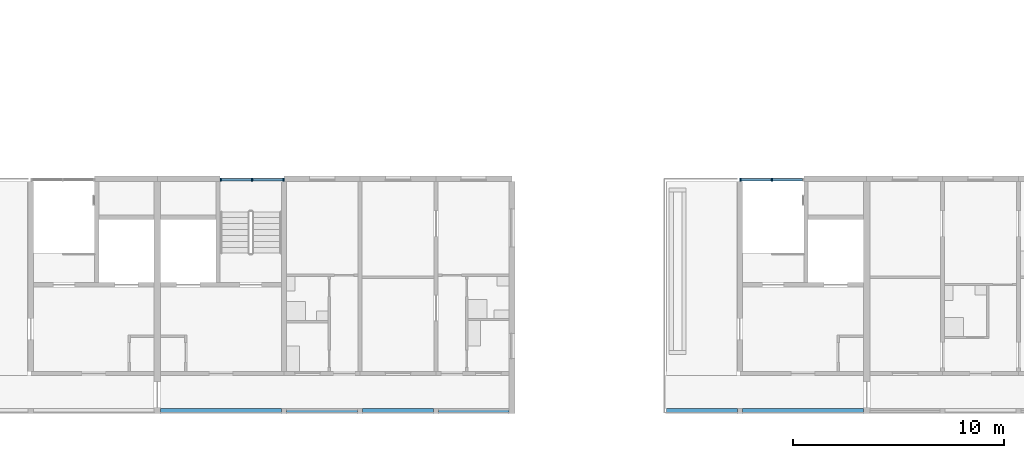
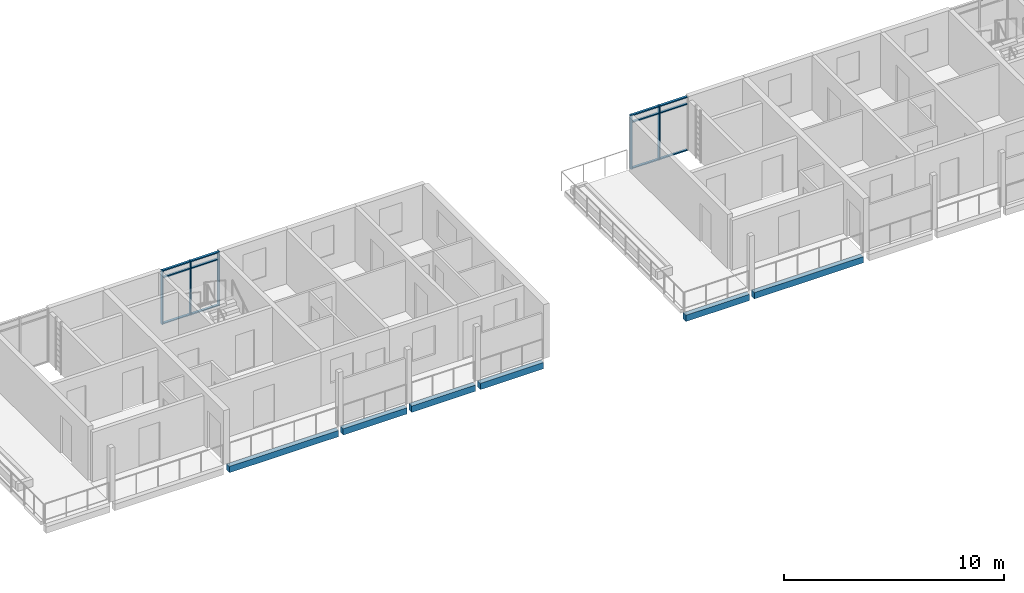
# One storey, part 7 of 55: 17 members, 6 beams, 2 elements without a shape of their own.
"""IFC4 building model written with IfcOpenShell, lengths in metres."""

import ifcopenshell
import ifcopenshell.guid

model = None  # the IFC model being written
_history = None  # IfcOwnerHistory: only IFC2X3 demands one
_inside = {}  # id of a spatial element -> (the spatial element, [elements in it])
_under = {}  # id of a project, library or spatial element -> (it, [spatial elements below it])
_declared = {}  # id of a project -> (the project, [libraries it declares])
_typed = {}  # id of a type object -> (the type object, [elements of that type])
_made_of = {}  # id of a material, layer set ... -> (it, [elements and type objects made of it])


def new_model(schema):
    """Start an empty IFC model of exactly this schema.

    Asked for "IFC4X3", IfcOpenShell would pick the latest addendum, in which some entities
    have other attributes; the version numbers below select the first issue.
    IFC2X3 requires an IfcOwnerHistory on every rooted entity: one is made here for all.
    """
    global model, _history
    if schema == "IFC4X3":
        model = ifcopenshell.file(schema_version=(4, 3, 0, 0))
    else:
        model = ifcopenshell.file(schema=schema)
    _inside.clear()
    _under.clear()
    _declared.clear()
    _typed.clear()
    _made_of.clear()
    _history = None
    if model.schema == "IFC2X3":
        org = make("IfcOrganization", Name="unknown")
        user = make(
            "IfcPersonAndOrganization",
            ThePerson=make("IfcPerson", FamilyName="unknown"),
            TheOrganization=org,
        )
        app = make(
            "IfcApplication",
            ApplicationDeveloper=org,
            Version="unknown",
            ApplicationFullName="unknown",
            ApplicationIdentifier="unknown",
        )
        _history = make(
            "IfcOwnerHistory",
            OwningUser=user,
            OwningApplication=app,
            ChangeAction="ADDED",
            CreationDate=0,
        )
    return model


def make(cls, **values):
    """One entity of the class cls with the attributes given. An attribute that is None is left unset."""
    return model.create_entity(
        cls, **{name: value for name, value in values.items() if value is not None}
    )


def rooted(cls, **values):
    """An entity with a GlobalId (a new one), such as an element, a storey or a relation."""
    return make(cls, GlobalId=ifcopenshell.guid.new(), OwnerHistory=_history, **values)


def si_unit(unit_type, name, prefix=None):
    """IfcSIUnit, for example si_unit("LENGTHUNIT", "METRE", prefix="MILLI")."""
    return make("IfcSIUnit", UnitType=unit_type, Prefix=prefix, Name=name)


def assignment(units):
    """IfcUnitAssignment: the units of a project."""
    return None if units is None else make("IfcUnitAssignment", Units=units)


def point(xyz):
    """IfcCartesianPoint."""
    return None if xyz is None else make("IfcCartesianPoint", Coordinates=xyz)


def direction(xyz):
    """IfcDirection."""
    return None if xyz is None else make("IfcDirection", DirectionRatios=xyz)


def frame(location, z_axis=None, x_axis=None):
    """IfcAxis2Placement3D, a coordinate frame: its origin and axes. An axis left out is left unset."""
    return make(
        "IfcAxis2Placement3D",
        Location=point(location),
        Axis=direction(z_axis),
        RefDirection=direction(x_axis),
    )


def frame_2d(location, x_axis=None):
    """IfcAxis2Placement2D, a coordinate frame in the plane: its origin and x axis."""
    return make(
        "IfcAxis2Placement2D", Location=point(location), RefDirection=direction(x_axis)
    )


def origin():
    """The frame at (0, 0, 0) with its axes left unset."""
    return frame((0.0, 0.0, 0.0))


def origin_2d():
    """The frame at (0, 0) in the plane with its x axis left unset."""
    return frame_2d((0.0, 0.0))


def place(relative_to, where):
    """IfcLocalPlacement: puts the frame where relative to a parent placement (None: the world)."""
    return make(
        "IfcLocalPlacement", PlacementRelTo=relative_to, RelativePlacement=where
    )


def context(
    kind, dimensions, precision=None, world=None, true_north=None, identifier=None
):
    """IfcGeometricRepresentationContext, for example the 3D "Model" context."""
    return make(
        "IfcGeometricRepresentationContext",
        ContextIdentifier=identifier,
        ContextType=kind,
        CoordinateSpaceDimension=dimensions,
        Precision=precision,
        WorldCoordinateSystem=world,
        TrueNorth=true_north,
    )


def subcontext(parent, identifier, kind, view, scale=None):
    """IfcGeometricRepresentationSubContext, for example "Body" below "Model"."""
    return make(
        "IfcGeometricRepresentationSubContext",
        ContextIdentifier=identifier,
        ContextType=kind,
        ParentContext=parent,
        TargetScale=scale,
        TargetView=view,
    )


def project(units=None, contexts=None):
    """IfcProject with its units and contexts."""
    return rooted(
        "IfcProject",
        Name="project",
        RepresentationContexts=contexts,
        UnitsInContext=assignment(units),
    )


def spatial(cls, under=None, at=None, **own):
    """A site, building, storey or space (cls), placed at a placement, below another one or the project."""
    s = rooted(cls, ObjectPlacement=at, **own)
    if under is not None:
        _under.setdefault(under.id(), (under, []))[1].append(s)
    return s


def profile(cls, at=None, kind="AREA", **sizes):
    """A parametric profile (cls). Its sizes go by their IFC names, for example OverallWidth=200.0."""
    return make(cls, ProfileType=kind, Position=at, **sizes)


def rectangle(**sizes):
    """IfcRectangleProfileDef."""
    return profile("IfcRectangleProfileDef", **sizes)


def extrude(swept, where, along, depth):
    """IfcExtrudedAreaSolid: the profile swept, set in the frame where, extruded along a direction by depth."""
    return make(
        "IfcExtrudedAreaSolid",
        SweptArea=swept,
        Position=where,
        ExtrudedDirection=direction(along),
        Depth=depth,
    )


def shape(context_of_items, identifier, shape_type, items):
    """IfcShapeRepresentation: the items that make up one representation, for example the "Body"."""
    return make(
        "IfcShapeRepresentation",
        ContextOfItems=context_of_items,
        RepresentationIdentifier=identifier,
        RepresentationType=shape_type,
        Items=items,
    )


def material(Name=None, Category=None):
    """IfcMaterial."""
    return make("IfcMaterial", Name=Name, Category=Category)


def material_profile(
    of_material, cross_section, Name=None, Category=None, Priority=None
):
    """IfcMaterialProfile: a cross section and its material."""
    return make(
        "IfcMaterialProfile",
        Name=Name,
        Material=of_material,
        Profile=cross_section,
        Priority=Priority,
        Category=Category,
    )


def profile_set(profiles, Name=None, composite=None):
    """IfcMaterialProfileSet."""
    return make(
        "IfcMaterialProfileSet",
        Name=Name,
        MaterialProfiles=profiles,
        CompositeProfile=composite,
    )


def made_of(thing, what):
    """Note that an element or type object is made of a material, layer set ...; save() writes the relation."""
    if what is not None:
        _made_of.setdefault(what.id(), (what, []))[1].append(thing)
    return thing


def type_object(cls, material=None, **own):
    """A type object (cls), such as IfcWallType, which elements share."""
    return made_of(rooted(cls, **own), material)


def element(
    cls,
    number,
    at=None,
    inside=None,
    cuts=None,
    type_object=None,
    material=None,
    context=None,
    identifier="Body",
    shape_type=None,
    held_by="IfcProductDefinitionShape",
    body=None,
    shapes=None,
    **own,
):
    """One element of the class cls, such as IfcWall. Its Tag is "e" and its number.

    at: its placement. inside: the storey or other place that contains it. cuts: it is an
    opening in that element (IfcRelVoidsElement). A single representation is given by context,
    identifier, shape_type and body (its items); several are given by shapes. held_by: the class
    of the entity that holds the representations. save() writes the other relations.
    """
    e = rooted(cls, Tag="e%d" % number, ObjectPlacement=at, **own)
    if body is not None:
        shapes = [shape(context, identifier, shape_type, body)]
    if shapes is not None:
        e.Representation = make(held_by, Representations=shapes)
    if inside is not None:
        _inside.setdefault(inside.id(), (inside, []))[1].append(e)
    if cuts is not None:
        rooted(
            "IfcRelVoidsElement", RelatingBuildingElement=cuts, RelatedOpeningElement=e
        )
    if type_object is not None:
        _typed.setdefault(type_object.id(), (type_object, []))[1].append(e)
    return made_of(e, material)


def aggregate(whole, parts):
    """IfcRelAggregates: a whole, such as a stair, and the parts it consists of."""
    return rooted("IfcRelAggregates", RelatingObject=whole, RelatedObjects=parts)


def save(model, path):
    """Write the relations noted so far, then the file.

    IfcRelAggregates (storeys below a building ...), IfcRelContainedInSpatialStructure (elements
    in a storey), IfcRelDefinesByType, IfcRelAssociatesMaterial and IfcRelDeclares: one each for
    every whole, place, type object, material and project.
    """
    for whole, parts in _under.values():
        aggregate(whole, parts)
    for where, things in _inside.values():
        rooted(
            "IfcRelContainedInSpatialStructure",
            RelatedElements=things,
            RelatingStructure=where,
        )
    for kind, things in _typed.values():
        rooted("IfcRelDefinesByType", RelatedObjects=things, RelatingType=kind)
    for what, things in _made_of.values():
        rooted("IfcRelAssociatesMaterial", RelatedObjects=things, RelatingMaterial=what)
    for by, libraries in _declared.values():
        rooted("IfcRelDeclares", RelatingContext=by, RelatedDefinitions=libraries)
    model.write(path)


model = new_model("IFC4")

# Units and contexts
model_context = context("Model", 3, precision=1e-05, world=origin(), true_north=direction((0.0, 1.0)))
body_context = subcontext(model_context, "Body", "Model", "MODEL_VIEW")
ifc_project = project(units=[si_unit("LENGTHUNIT", "METRE"), si_unit("AREAUNIT", "SQUARE_METRE"), si_unit("VOLUMEUNIT", "CUBIC_METRE"), si_unit("PLANEANGLEUNIT", "RADIAN"), si_unit("MASSUNIT", "GRAM", prefix="KILO")], contexts=[model_context])

# Site, building, storey
site_placement = place(None, origin())
site = spatial("IfcSite", under=ifc_project, at=site_placement, CompositionType="ELEMENT")
building_placement = place(site_placement, origin())
building = spatial("IfcBuilding", under=site, at=building_placement, Name="Ridgestep Commons", CompositionType="ELEMENT")
storey_placement = place(building_placement, frame((0.0, 0.0, 36.0)))
storey = spatial("IfcBuildingStorey", under=building, at=storey_placement, Name="L12", CompositionType="ELEMENT", Elevation=36.0)

# Beams
ifc_material_1 = material(Name="Precast concrete C40/50", Category="concrete")
ifc_material_profile_1 = material_profile(ifc_material_1, rectangle(XDim=0.25, YDim=0.35009765625, at=origin_2d()), Name="PC 250x350")
ifc_profile_set_1 = profile_set([ifc_material_profile_1], Name="Precast concrete C40/50")
beam_type = type_object("IfcBeamType", Name="Loggia edge beam 250 x 350", PredefinedType="SPANDREL", material=ifc_profile_set_1)
beam_1_placement = place(storey_placement, frame((45.75, 11.875, -0.375), z_axis=(1.0, 0.0, 0.0), x_axis=(0.0, 1.0, 0.0)))
element("IfcBeam", 1, at=beam_1_placement, inside=storey, type_object=beam_type, Name="Loggia edge beam A3C L12", PredefinedType="SPANDREL", context=body_context, shape_type="SweptSolid", body=[
    extrude(rectangle(XDim=0.25, YDim=0.35009765625, at=origin_2d()), origin(), (0.0, 0.0, 1.0), 5.72509765625),
])
beam_2_placement = place(storey_placement, frame((51.72509765625, 11.875, -0.375), z_axis=(1.0, 0.0, 0.0), x_axis=(0.0, 1.0, 0.0)))
element("IfcBeam", 2, at=beam_2_placement, inside=storey, type_object=beam_type, Name="Loggia edge beam A3T3 L12", PredefinedType="SPANDREL", context=body_context, shape_type="SweptSolid", body=[
    extrude(rectangle(XDim=0.25, YDim=0.35009765625, at=origin_2d()), origin(), (0.0, 0.0, 1.0), 3.349853515625),
])
beam_3_placement = place(storey_placement, frame((55.324951171875, 11.875, -0.375), z_axis=(1.0, 0.0, 0.0), x_axis=(0.0, 1.0, 0.0)))
element("IfcBeam", 3, at=beam_3_placement, inside=storey, type_object=beam_type, Name="Loggia edge beam A3T2 L12", PredefinedType="SPANDREL", context=body_context, shape_type="SweptSolid", body=[
    extrude(rectangle(XDim=0.25, YDim=0.35009765625, at=origin_2d()), origin(), (0.0, 0.0, 1.0), 3.35009765625),
])
beam_4_placement = place(storey_placement, frame((58.925048828125, 11.875, -0.375), z_axis=(1.0, 0.0, 0.0), x_axis=(0.0, 1.0, 0.0)))
element("IfcBeam", 4, at=beam_4_placement, inside=storey, type_object=beam_type, Name="Loggia edge beam A3T1 L12", PredefinedType="SPANDREL", context=body_context, shape_type="SweptSolid", body=[
    extrude(rectangle(XDim=0.25, YDim=0.35009765625, at=origin_2d()), origin(), (0.0, 0.0, 1.0), 3.324951171875),
])
beam_5_placement = place(storey_placement, frame((69.72509765625, 11.875, -0.375), z_axis=(1.0, 0.0, 0.0), x_axis=(0.0, 1.0, 0.0)))
element("IfcBeam", 5, at=beam_5_placement, inside=storey, type_object=beam_type, Name="Loggia edge beam A4T3 L12", PredefinedType="SPANDREL", context=body_context, shape_type="SweptSolid", body=[
    extrude(rectangle(XDim=0.25, YDim=0.35009765625, at=origin_2d()), origin(), (0.0, 0.0, 1.0), 3.349853515625),
])
beam_6_placement = place(storey_placement, frame((73.324951171875, 11.875, -0.375), z_axis=(1.0, 0.0, 0.0), x_axis=(0.0, 1.0, 0.0)))
element("IfcBeam", 6, at=beam_6_placement, inside=storey, type_object=beam_type, Name="Loggia edge beam A4C L12", PredefinedType="SPANDREL", context=body_context, shape_type="SweptSolid", body=[
    extrude(rectangle(XDim=0.25, YDim=0.35009765625, at=origin_2d()), origin(), (0.0, 0.0, 1.0), 5.72509765625),
])

# Curtain wall, members
ifc_material_2 = material(Name="Aluminium 6063-T6 and glass", Category="aluminium")
curtain_wall_type = type_object("IfcCurtainWallType", Name="Curtain wall stair strip", PredefinedType="NOTDEFINED", material=ifc_material_2)
curtain_wall_1_placement = place(storey_placement, origin())
curtain_wall_1 = element("IfcCurtainWall", 7, at=curtain_wall_1_placement, inside=storey, type_object=curtain_wall_type, Name="Curtain wall A3C level 12", PredefinedType="NOTDEFINED")
ifc_material_3 = material(Name="Aluminium 6063-T6", Category="aluminium")
ifc_material_profile_2 = material_profile(ifc_material_3, rectangle(XDim=0.159912109375, YDim=0.06005859375, at=origin_2d()), Name="Mullion 60 x 160")
ifc_profile_set_2 = profile_set([ifc_material_profile_2], Name="Aluminium 6063-T6")
member_type_1 = type_object("IfcMemberType", Name="Mullion 60 x 160", PredefinedType="MULLION", material=ifc_profile_set_2)
member_1_placement = place(storey_placement, frame((48.60498046875, 22.830078125, 0.0), z_axis=(0.0, 0.0, 1.0), x_axis=(0.0, 1.0, 0.0)))
member_1 = element("IfcMember", 8, at=member_1_placement, type_object=member_type_1, Name="CW1 mullion 1", PredefinedType="MULLION", context=body_context, shape_type="SweptSolid", body=[
    extrude(rectangle(XDim=0.159912109375, YDim=0.06005859375, at=origin_2d()), origin(), (0.0, 0.0, 1.0), 3.0),
])
member_2_placement = place(storey_placement, frame((50.08740234375, 22.830078125, 0.0), z_axis=(0.0, 0.0, 1.0), x_axis=(0.0, 1.0, 0.0)))
member_2 = element("IfcMember", 9, at=member_2_placement, type_object=member_type_1, Name="CW1 mullion 2", PredefinedType="MULLION", context=body_context, shape_type="SweptSolid", body=[
    extrude(rectangle(XDim=0.159912109375, YDim=0.06005859375, at=origin_2d()), origin(), (0.0, 0.0, 1.0), 3.0),
])
member_3_placement = place(storey_placement, frame((51.570068359375, 22.830078125, 0.0), z_axis=(0.0, 0.0, 1.0), x_axis=(0.0, 1.0, 0.0)))
member_3 = element("IfcMember", 10, at=member_3_placement, type_object=member_type_1, Name="CW1 mullion 3", PredefinedType="MULLION", context=body_context, shape_type="SweptSolid", body=[
    extrude(rectangle(XDim=0.159912109375, YDim=0.06005859375, at=origin_2d()), origin(), (0.0, 0.0, 1.0), 3.0),
])

curtain_wall_2_placement = place(storey_placement, origin())
curtain_wall_2 = element("IfcCurtainWall", 11, at=curtain_wall_2_placement, inside=storey, type_object=curtain_wall_type, Name="Curtain wall A4C level 12", PredefinedType="NOTDEFINED")
member_4_placement = place(storey_placement, frame((73.22998046875, 22.830078125, 0.0), z_axis=(0.0, 0.0, 1.0), x_axis=(0.0, 1.0, 0.0)))
member_4 = element("IfcMember", 12, at=member_4_placement, type_object=member_type_1, Name="CW1 mullion 1", PredefinedType="MULLION", context=body_context, shape_type="SweptSolid", body=[
    extrude(rectangle(XDim=0.159912109375, YDim=0.06005859375, at=origin_2d()), origin(), (0.0, 0.0, 1.0), 3.0),
])
member_5_placement = place(storey_placement, frame((74.71240234375, 22.830078125, 0.0), z_axis=(0.0, 0.0, 1.0), x_axis=(0.0, 1.0, 0.0)))
member_5 = element("IfcMember", 13, at=member_5_placement, type_object=member_type_1, Name="CW1 mullion 2", PredefinedType="MULLION", context=body_context, shape_type="SweptSolid", body=[
    extrude(rectangle(XDim=0.159912109375, YDim=0.06005859375, at=origin_2d()), origin(), (0.0, 0.0, 1.0), 3.0),
])

# Member
ifc_material_4 = material(Name="Aluminium 6063-T6", Category="aluminium")
ifc_material_profile_3 = material_profile(ifc_material_4, rectangle(XDim=0.1201171875, YDim=0.06005859375, at=origin_2d()), Name="Transom 60 x 120")
ifc_profile_set_3 = profile_set([ifc_material_profile_3], Name="Aluminium 6063-T6")
member_type_2 = type_object("IfcMemberType", Name="Transom 60 x 120", PredefinedType="USERDEFINED", material=ifc_profile_set_3)
member_6_placement = place(storey_placement, frame((48.635009765625, 22.830078125, 0.030029296875), z_axis=(1.0, 0.0, 0.0), x_axis=(0.0, 1.0, 0.0)))
member_6 = element("IfcMember", 14, at=member_6_placement, type_object=member_type_2, Name="CW1 transom 1.1", ObjectType="TRANSOM", PredefinedType="USERDEFINED", context=body_context, shape_type="SweptSolid", body=[
    extrude(rectangle(XDim=0.1201171875, YDim=0.06005859375, at=origin_2d()), origin(), (0.0, 0.0, 1.0), 1.422607421875),
])

member_7_placement = place(storey_placement, frame((48.635009765625, 22.830078125, 2.590087890625), z_axis=(1.0, 0.0, 0.0), x_axis=(0.0, 1.0, 0.0)))
member_7 = element("IfcMember", 15, at=member_7_placement, type_object=member_type_2, Name="CW1 transom 1.2", ObjectType="TRANSOM", PredefinedType="USERDEFINED", context=body_context, shape_type="SweptSolid", body=[
    extrude(rectangle(XDim=0.1201171875, YDim=0.06005859375, at=origin_2d()), origin(), (0.0, 0.0, 1.0), 1.422607421875),
])

member_8_placement = place(storey_placement, frame((48.635009765625, 22.830078125, 2.969970703125), z_axis=(1.0, 0.0, 0.0), x_axis=(0.0, 1.0, 0.0)))
member_8 = element("IfcMember", 16, at=member_8_placement, type_object=member_type_2, Name="CW1 transom 1.3", ObjectType="TRANSOM", PredefinedType="USERDEFINED", context=body_context, shape_type="SweptSolid", body=[
    extrude(rectangle(XDim=0.1201171875, YDim=0.06005859375, at=origin_2d()), origin(), (0.0, 0.0, 1.0), 1.422607421875),
])

member_9_placement = place(storey_placement, frame((50.117431640625, 22.830078125, 0.030029296875), z_axis=(1.0, 0.0, 0.0), x_axis=(0.0, 1.0, 0.0)))
member_9 = element("IfcMember", 17, at=member_9_placement, type_object=member_type_2, Name="CW1 transom 2.1", ObjectType="TRANSOM", PredefinedType="USERDEFINED", context=body_context, shape_type="SweptSolid", body=[
    extrude(rectangle(XDim=0.1201171875, YDim=0.06005859375, at=origin_2d()), origin(), (0.0, 0.0, 1.0), 1.422607421875),
])

member_10_placement = place(storey_placement, frame((50.117431640625, 22.830078125, 2.590087890625), z_axis=(1.0, 0.0, 0.0), x_axis=(0.0, 1.0, 0.0)))
member_10 = element("IfcMember", 18, at=member_10_placement, type_object=member_type_2, Name="CW1 transom 2.2", ObjectType="TRANSOM", PredefinedType="USERDEFINED", context=body_context, shape_type="SweptSolid", body=[
    extrude(rectangle(XDim=0.1201171875, YDim=0.06005859375, at=origin_2d()), origin(), (0.0, 0.0, 1.0), 1.422607421875),
])

member_11_placement = place(storey_placement, frame((50.117431640625, 22.830078125, 2.969970703125), z_axis=(1.0, 0.0, 0.0), x_axis=(0.0, 1.0, 0.0)))
member_11 = element("IfcMember", 19, at=member_11_placement, type_object=member_type_2, Name="CW1 transom 2.3", ObjectType="TRANSOM", PredefinedType="USERDEFINED", context=body_context, shape_type="SweptSolid", body=[
    extrude(rectangle(XDim=0.1201171875, YDim=0.06005859375, at=origin_2d()), origin(), (0.0, 0.0, 1.0), 1.422607421875),
])

aggregate(curtain_wall_1, [member_1, member_2, member_3, member_6, member_7, member_8, member_9, member_10, member_11])

member_12_placement = place(storey_placement, frame((73.260009765625, 22.830078125, 0.030029296875), z_axis=(1.0, 0.0, 0.0), x_axis=(0.0, 1.0, 0.0)))
member_12 = element("IfcMember", 20, at=member_12_placement, type_object=member_type_2, Name="CW1 transom 1.1", ObjectType="TRANSOM", PredefinedType="USERDEFINED", context=body_context, shape_type="SweptSolid", body=[
    extrude(rectangle(XDim=0.1201171875, YDim=0.06005859375, at=origin_2d()), origin(), (0.0, 0.0, 1.0), 1.422607421875),
])

member_13_placement = place(storey_placement, frame((73.260009765625, 22.830078125, 2.590087890625), z_axis=(1.0, 0.0, 0.0), x_axis=(0.0, 1.0, 0.0)))
member_13 = element("IfcMember", 21, at=member_13_placement, type_object=member_type_2, Name="CW1 transom 1.2", ObjectType="TRANSOM", PredefinedType="USERDEFINED", context=body_context, shape_type="SweptSolid", body=[
    extrude(rectangle(XDim=0.1201171875, YDim=0.06005859375, at=origin_2d()), origin(), (0.0, 0.0, 1.0), 1.422607421875),
])

member_14_placement = place(storey_placement, frame((73.260009765625, 22.830078125, 2.969970703125), z_axis=(1.0, 0.0, 0.0), x_axis=(0.0, 1.0, 0.0)))
member_14 = element("IfcMember", 22, at=member_14_placement, type_object=member_type_2, Name="CW1 transom 1.3", ObjectType="TRANSOM", PredefinedType="USERDEFINED", context=body_context, shape_type="SweptSolid", body=[
    extrude(rectangle(XDim=0.1201171875, YDim=0.06005859375, at=origin_2d()), origin(), (0.0, 0.0, 1.0), 1.422607421875),
])

member_15_placement = place(storey_placement, frame((74.742431640625, 22.830078125, 0.030029296875), z_axis=(1.0, 0.0, 0.0), x_axis=(0.0, 1.0, 0.0)))
member_15 = element("IfcMember", 23, at=member_15_placement, type_object=member_type_2, Name="CW1 transom 2.1", ObjectType="TRANSOM", PredefinedType="USERDEFINED", context=body_context, shape_type="SweptSolid", body=[
    extrude(rectangle(XDim=0.1201171875, YDim=0.06005859375, at=origin_2d()), origin(), (0.0, 0.0, 1.0), 1.422607421875),
])

member_16_placement = place(storey_placement, frame((74.742431640625, 22.830078125, 2.590087890625), z_axis=(1.0, 0.0, 0.0), x_axis=(0.0, 1.0, 0.0)))
member_16 = element("IfcMember", 24, at=member_16_placement, type_object=member_type_2, Name="CW1 transom 2.2", ObjectType="TRANSOM", PredefinedType="USERDEFINED", context=body_context, shape_type="SweptSolid", body=[
    extrude(rectangle(XDim=0.1201171875, YDim=0.06005859375, at=origin_2d()), origin(), (0.0, 0.0, 1.0), 1.422607421875),
])

member_17_placement = place(storey_placement, frame((74.742431640625, 22.830078125, 2.969970703125), z_axis=(1.0, 0.0, 0.0), x_axis=(0.0, 1.0, 0.0)))
member_17 = element("IfcMember", 25, at=member_17_placement, type_object=member_type_2, Name="CW1 transom 2.3", ObjectType="TRANSOM", PredefinedType="USERDEFINED", context=body_context, shape_type="SweptSolid", body=[
    extrude(rectangle(XDim=0.1201171875, YDim=0.06005859375, at=origin_2d()), origin(), (0.0, 0.0, 1.0), 1.422607421875),
])

aggregate(curtain_wall_2, [member_4, member_5, member_12, member_13, member_14, member_15, member_16, member_17])

save(model, "model.ifc")
